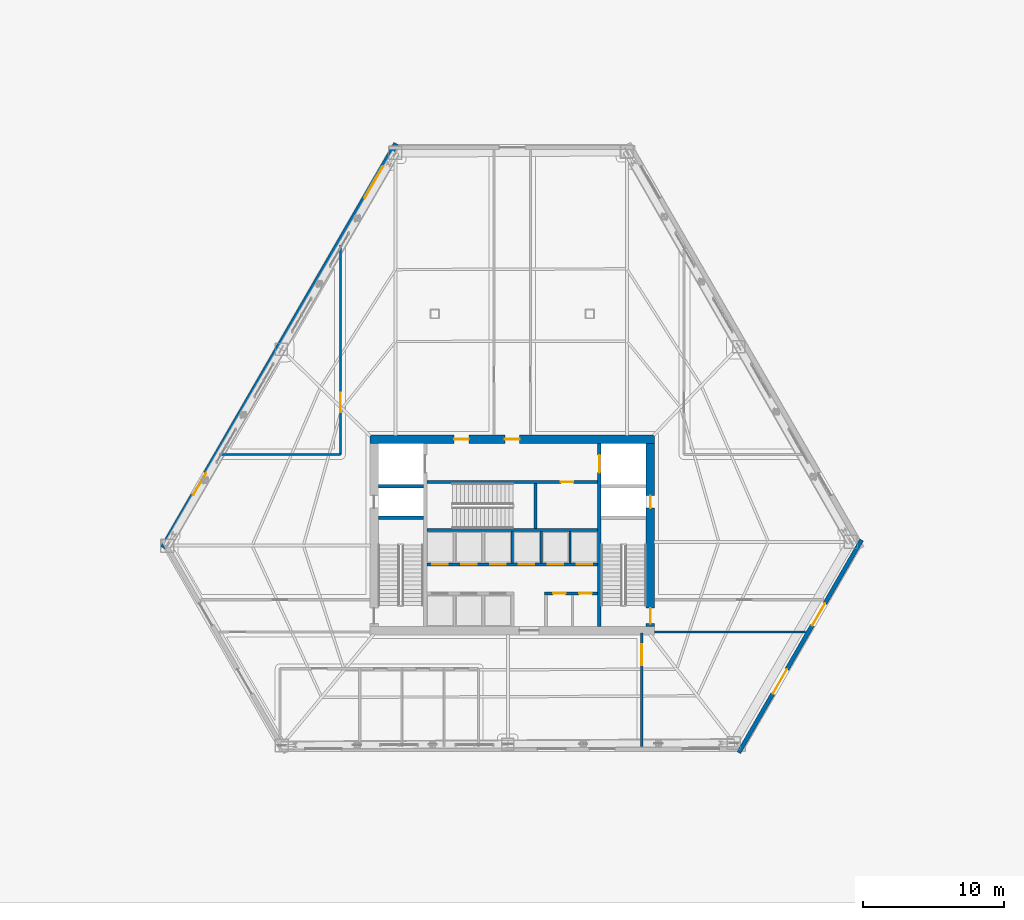
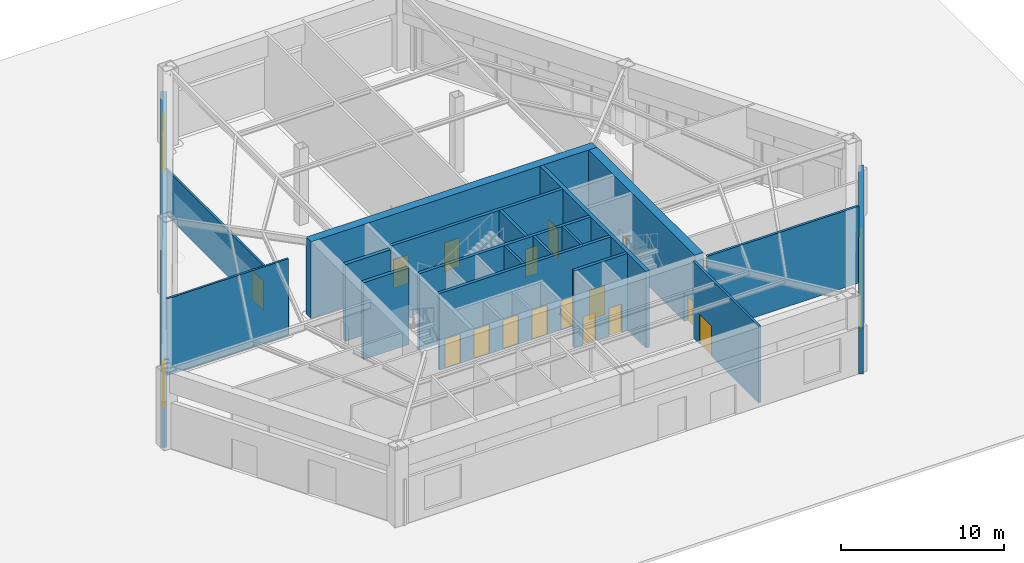
# One storey, part 15 of 20: 19 doors, 19 walls, 1 window, 20 openings.
"""IFC4 building model written with IfcOpenShell, lengths in metres."""

import ifcopenshell
import ifcopenshell.guid

model = None  # the IFC model being written
_history = None  # IfcOwnerHistory: only IFC2X3 demands one
_inside = {}  # id of a spatial element -> (the spatial element, [elements in it])
_under = {}  # id of a project, library or spatial element -> (it, [spatial elements below it])
_declared = {}  # id of a project -> (the project, [libraries it declares])
_typed = {}  # id of a type object -> (the type object, [elements of that type])
_made_of = {}  # id of a material, layer set ... -> (it, [elements and type objects made of it])


def new_model(schema):
    """Start an empty IFC model of exactly this schema.

    Asked for "IFC4X3", IfcOpenShell would pick the latest addendum, in which some entities
    have other attributes; the version numbers below select the first issue.
    IFC2X3 requires an IfcOwnerHistory on every rooted entity: one is made here for all.
    """
    global model, _history
    if schema == "IFC4X3":
        model = ifcopenshell.file(schema_version=(4, 3, 0, 0))
    else:
        model = ifcopenshell.file(schema=schema)
    _inside.clear()
    _under.clear()
    _declared.clear()
    _typed.clear()
    _made_of.clear()
    _history = None
    if model.schema == "IFC2X3":
        org = make("IfcOrganization", Name="unknown")
        user = make(
            "IfcPersonAndOrganization",
            ThePerson=make("IfcPerson", FamilyName="unknown"),
            TheOrganization=org,
        )
        app = make(
            "IfcApplication",
            ApplicationDeveloper=org,
            Version="unknown",
            ApplicationFullName="unknown",
            ApplicationIdentifier="unknown",
        )
        _history = make(
            "IfcOwnerHistory",
            OwningUser=user,
            OwningApplication=app,
            ChangeAction="ADDED",
            CreationDate=0,
        )
    return model


def make(cls, **values):
    """One entity of the class cls with the attributes given. An attribute that is None is left unset."""
    return model.create_entity(
        cls, **{name: value for name, value in values.items() if value is not None}
    )


def rooted(cls, **values):
    """An entity with a GlobalId (a new one), such as an element, a storey or a relation."""
    return make(cls, GlobalId=ifcopenshell.guid.new(), OwnerHistory=_history, **values)


def si_unit(unit_type, name, prefix=None):
    """IfcSIUnit, for example si_unit("LENGTHUNIT", "METRE", prefix="MILLI")."""
    return make("IfcSIUnit", UnitType=unit_type, Prefix=prefix, Name=name)


def assignment(units):
    """IfcUnitAssignment: the units of a project."""
    return None if units is None else make("IfcUnitAssignment", Units=units)


def point(xyz):
    """IfcCartesianPoint."""
    return None if xyz is None else make("IfcCartesianPoint", Coordinates=xyz)


def direction(xyz):
    """IfcDirection."""
    return None if xyz is None else make("IfcDirection", DirectionRatios=xyz)


def frame(location, z_axis=None, x_axis=None):
    """IfcAxis2Placement3D, a coordinate frame: its origin and axes. An axis left out is left unset."""
    return make(
        "IfcAxis2Placement3D",
        Location=point(location),
        Axis=direction(z_axis),
        RefDirection=direction(x_axis),
    )


def frame_2d(location, x_axis=None):
    """IfcAxis2Placement2D, a coordinate frame in the plane: its origin and x axis."""
    return make(
        "IfcAxis2Placement2D", Location=point(location), RefDirection=direction(x_axis)
    )


def origin():
    """The frame at (0, 0, 0) with its axes left unset."""
    return frame((0.0, 0.0, 0.0))


def place(relative_to, where):
    """IfcLocalPlacement: puts the frame where relative to a parent placement (None: the world)."""
    return make(
        "IfcLocalPlacement", PlacementRelTo=relative_to, RelativePlacement=where
    )


def context(
    kind, dimensions, precision=None, world=None, true_north=None, identifier=None
):
    """IfcGeometricRepresentationContext, for example the 3D "Model" context."""
    return make(
        "IfcGeometricRepresentationContext",
        ContextIdentifier=identifier,
        ContextType=kind,
        CoordinateSpaceDimension=dimensions,
        Precision=precision,
        WorldCoordinateSystem=world,
        TrueNorth=true_north,
    )


def subcontext(parent, identifier, kind, view, scale=None):
    """IfcGeometricRepresentationSubContext, for example "Body" below "Model"."""
    return make(
        "IfcGeometricRepresentationSubContext",
        ContextIdentifier=identifier,
        ContextType=kind,
        ParentContext=parent,
        TargetScale=scale,
        TargetView=view,
    )


def project(units=None, contexts=None):
    """IfcProject with its units and contexts."""
    return rooted(
        "IfcProject",
        Name="project",
        RepresentationContexts=contexts,
        UnitsInContext=assignment(units),
    )


def spatial(cls, under=None, at=None, **own):
    """A site, building, storey or space (cls), placed at a placement, below another one or the project."""
    s = rooted(cls, ObjectPlacement=at, **own)
    if under is not None:
        _under.setdefault(under.id(), (under, []))[1].append(s)
    return s


def profile(cls, at=None, kind="AREA", **sizes):
    """A parametric profile (cls). Its sizes go by their IFC names, for example OverallWidth=200.0."""
    return make(cls, ProfileType=kind, Position=at, **sizes)


def rectangle(**sizes):
    """IfcRectangleProfileDef."""
    return profile("IfcRectangleProfileDef", **sizes)


def extrude(swept, where, along, depth):
    """IfcExtrudedAreaSolid: the profile swept, set in the frame where, extruded along a direction by depth."""
    return make(
        "IfcExtrudedAreaSolid",
        SweptArea=swept,
        Position=where,
        ExtrudedDirection=direction(along),
        Depth=depth,
    )


def shape(context_of_items, identifier, shape_type, items):
    """IfcShapeRepresentation: the items that make up one representation, for example the "Body"."""
    return make(
        "IfcShapeRepresentation",
        ContextOfItems=context_of_items,
        RepresentationIdentifier=identifier,
        RepresentationType=shape_type,
        Items=items,
    )


def material(Name=None, Category=None):
    """IfcMaterial."""
    return make("IfcMaterial", Name=Name, Category=Category)


def layer(
    of_material, thickness, ventilated=None, Name=None, Category=None, Priority=None
):
    """IfcMaterialLayer: one layer of a wall or slab, of a material (None: an air gap)."""
    return make(
        "IfcMaterialLayer",
        Material=of_material,
        LayerThickness=thickness,
        IsVentilated=ventilated,
        Name=Name,
        Category=Category,
        Priority=Priority,
    )


def layer_set(layers, Name=None):
    """IfcMaterialLayerSet."""
    return make("IfcMaterialLayerSet", MaterialLayers=layers, LayerSetName=Name)


def made_of(thing, what):
    """Note that an element or type object is made of a material, layer set ...; save() writes the relation."""
    if what is not None:
        _made_of.setdefault(what.id(), (what, []))[1].append(thing)
    return thing


def type_object(cls, material=None, **own):
    """A type object (cls), such as IfcWallType, which elements share."""
    return made_of(rooted(cls, **own), material)


def element(
    cls,
    number,
    at=None,
    inside=None,
    cuts=None,
    type_object=None,
    material=None,
    context=None,
    identifier="Body",
    shape_type=None,
    held_by="IfcProductDefinitionShape",
    body=None,
    shapes=None,
    **own,
):
    """One element of the class cls, such as IfcWall. Its Tag is "e" and its number.

    at: its placement. inside: the storey or other place that contains it. cuts: it is an
    opening in that element (IfcRelVoidsElement). A single representation is given by context,
    identifier, shape_type and body (its items); several are given by shapes. held_by: the class
    of the entity that holds the representations. save() writes the other relations.
    """
    e = rooted(cls, Tag="e%d" % number, ObjectPlacement=at, **own)
    if body is not None:
        shapes = [shape(context, identifier, shape_type, body)]
    if shapes is not None:
        e.Representation = make(held_by, Representations=shapes)
    if inside is not None:
        _inside.setdefault(inside.id(), (inside, []))[1].append(e)
    if cuts is not None:
        rooted(
            "IfcRelVoidsElement", RelatingBuildingElement=cuts, RelatedOpeningElement=e
        )
    if type_object is not None:
        _typed.setdefault(type_object.id(), (type_object, []))[1].append(e)
    return made_of(e, material)


def fill(opening, filler):
    """IfcRelFillsElement: the door or window that sits in an opening."""
    return rooted(
        "IfcRelFillsElement",
        RelatingOpeningElement=opening,
        RelatedBuildingElement=filler,
    )


def aggregate(whole, parts):
    """IfcRelAggregates: a whole, such as a stair, and the parts it consists of."""
    return rooted("IfcRelAggregates", RelatingObject=whole, RelatedObjects=parts)


def save(model, path):
    """Write the relations noted so far, then the file.

    IfcRelAggregates (storeys below a building ...), IfcRelContainedInSpatialStructure (elements
    in a storey), IfcRelDefinesByType, IfcRelAssociatesMaterial and IfcRelDeclares: one each for
    every whole, place, type object, material and project.
    """
    for whole, parts in _under.values():
        aggregate(whole, parts)
    for where, things in _inside.values():
        rooted(
            "IfcRelContainedInSpatialStructure",
            RelatedElements=things,
            RelatingStructure=where,
        )
    for kind, things in _typed.values():
        rooted("IfcRelDefinesByType", RelatedObjects=things, RelatingType=kind)
    for what, things in _made_of.values():
        rooted("IfcRelAssociatesMaterial", RelatedObjects=things, RelatingMaterial=what)
    for by, libraries in _declared.values():
        rooted("IfcRelDeclares", RelatingContext=by, RelatedDefinitions=libraries)
    model.write(path)


model = new_model("IFC4")

# Units and contexts
model_context = context("Model", 3, precision=1e-05, world=origin(), true_north=direction((0.0, 1.0)))
body_context = subcontext(model_context, "Body", "Model", "MODEL_VIEW")
ifc_project = project(units=[si_unit("LENGTHUNIT", "METRE"), si_unit("AREAUNIT", "SQUARE_METRE"), si_unit("VOLUMEUNIT", "CUBIC_METRE"), si_unit("PLANEANGLEUNIT", "RADIAN"), si_unit("MASSUNIT", "GRAM", prefix="KILO")], contexts=[model_context])

# Site, building, storey
site_placement = place(None, origin())
site = spatial("IfcSite", under=ifc_project, at=site_placement, CompositionType="ELEMENT")
building_placement = place(site_placement, origin())
building = spatial("IfcBuilding", under=site, at=building_placement, Name="Kavelnor Concourse Tower", CompositionType="ELEMENT")
storey_placement = place(building_placement, origin())
storey = spatial("IfcBuildingStorey", under=building, at=storey_placement, Name="L00", CompositionType="ELEMENT", Elevation=0.0)

# Wall, openings, doors
ifc_material_1 = material(Name="Concrete C60/75", Category="concrete")
ifc_layer_1 = layer(ifc_material_1, 0.60009765625, Name="Concrete C60/75")
ifc_layer_set_1 = layer_set([ifc_layer_1], Name="Concrete C60/75")
wall_type_1 = type_object("IfcWallType", Name="WL-CORE-Z1-600", PredefinedType="SOLIDWALL", material=ifc_layer_set_1)
wall_1_placement = place(storey_placement, frame((27.8798828125, 22.89990234375, 0.0), z_axis=(0.0, 0.0, 1.0), x_axis=(1.0, 0.0, 0.0)))
wall_1 = element("IfcWall", 1, at=wall_1_placement, inside=storey, type_object=wall_type_1, Name="L00 Central Core North Shear Wall", PredefinedType="SOLIDWALL", context=body_context, shape_type="SweptSolid", body=[
    extrude(rectangle(XDim=20.240234375, YDim=0.60009765625, at=frame_2d((10.1201171875, 0.0))), origin(), (0.0, 0.0, 1.0), 5.739990234375),
])
opening_1_placement = place(wall_1_placement, frame((9.594970703125, 0.0, 0.0)))
opening_1 = element("IfcOpeningElement", 2, at=opening_1_placement, cuts=wall_1, Name="Opening FD-105", PredefinedType="OPENING", context=body_context, shape_type="SweptSolid", body=[
    extrude(rectangle(XDim=1.050048828125, YDim=2.14990234375, at=frame_2d((0.52490234375, 1.074951171875))), frame((0.0, 0.31005859375, 0.0), z_axis=(0.0, -1.0, 0.0), x_axis=(1.0, 0.0, 0.0)), (0.0, 0.0, 1.0), 0.6201171875),
])
opening_2_placement = place(wall_1_placement, frame((5.9951171875, 0.0, 0.0)))
opening_2 = element("IfcOpeningElement", 3, at=opening_2_placement, cuts=wall_1, Name="Opening FD-105", PredefinedType="OPENING", context=body_context, shape_type="SweptSolid", body=[
    extrude(rectangle(XDim=1.050048828125, YDim=2.14990234375, at=frame_2d((0.52490234375, 1.074951171875))), frame((0.0, 0.31005859375, 0.0), z_axis=(0.0, -1.0, 0.0), x_axis=(1.0, 0.0, 0.0)), (0.0, 0.0, 1.0), 0.6201171875),
])
ifc_material_2 = material(Name="Steel Grade 350", Category="steel")
door_type_1 = type_object("IfcDoorType", Name="DR-LOBBY-FIRE-1050", OperationType="NOTDEFINED", PredefinedType="DOOR", material=ifc_material_2)
door_1_placement = place(opening_1_placement, origin())
door_1 = element("IfcDoor", 4, at=door_1_placement, inside=storey, type_object=door_type_1, Name="L00 North Fire Exit Passage Door", OperationType="SINGLE_SWING_LEFT", OverallHeight=2.14990234375, OverallWidth=1.050048828125, PredefinedType="DOOR", context=body_context, shape_type="SweptSolid", body=[
    extrude(rectangle(XDim=1.050048828125, YDim=2.14990234375, at=frame_2d((0.52490234375, 1.074951171875))), frame((0.0, 0.02490234375, 0.0), z_axis=(0.0, -1.0, 0.0), x_axis=(1.0, 0.0, 0.0)), (0.0, 0.0, 1.0), 0.050048828125),
])
fill(opening_1, door_1)
door_2_placement = place(opening_2_placement, origin())
door_2 = element("IfcDoor", 5, at=door_2_placement, inside=storey, type_object=door_type_1, Name="L00 Emergency Lobby Concourse Door", OperationType="SINGLE_SWING_RIGHT", OverallHeight=2.14990234375, OverallWidth=1.050048828125, PredefinedType="DOOR", context=body_context, shape_type="SweptSolid", body=[
    extrude(rectangle(XDim=1.050048828125, YDim=2.14990234375, at=frame_2d((0.52490234375, 1.074951171875))), frame((0.0, 0.02490234375, 0.0), z_axis=(0.0, -1.0, 0.0), x_axis=(1.0, 0.0, 0.0)), (0.0, 0.0, 1.0), 0.050048828125),
])
fill(opening_2, door_2)

wall_2_placement = place(storey_placement, frame((47.820068359375, 9.60009765625, 0.0), z_axis=(0.0, 0.0, 1.0), x_axis=(0.0, 1.0, 0.0)))
wall_2 = element("IfcWall", 6, at=wall_2_placement, inside=storey, type_object=wall_type_1, Name="L00 Central Core East Shear Wall", PredefinedType="SOLIDWALL", context=body_context, shape_type="SweptSolid", body=[
    extrude(rectangle(XDim=13.0, YDim=0.60009765625, at=frame_2d((6.5, 0.0))), origin(), (0.0, 0.0, 1.0), 5.739990234375),
])
opening_3_placement = place(wall_2_placement, frame((8.39990234375, 0.0, 0.0)))
opening_3 = element("IfcOpeningElement", 7, at=opening_3_placement, cuts=wall_2, Name="Opening FD-090", PredefinedType="OPENING", context=body_context, shape_type="SweptSolid", body=[
    extrude(rectangle(XDim=0.89990234375, YDim=2.10009765625, at=frame_2d((0.449951171875, 1.050048828125))), frame((0.0, 0.31005859375, 0.0), z_axis=(0.0, -1.0, 0.0), x_axis=(1.0, 0.0, 0.0)), (0.0, 0.0, 1.0), 0.6201171875),
])
opening_4_placement = place(wall_2_placement, frame((0.199951171875, 0.0, 0.0)))
opening_4 = element("IfcOpeningElement", 8, at=opening_4_placement, cuts=wall_2, Name="Opening FD-110", PredefinedType="OPENING", context=body_context, shape_type="SweptSolid", body=[
    extrude(rectangle(XDim=1.10009765625, YDim=2.14990234375, at=frame_2d((0.550048828125, 1.074951171875))), frame((0.0, 0.31005859375, 0.0), z_axis=(0.0, -1.0, 0.0), x_axis=(1.0, 0.0, 0.0)), (0.0, 0.0, 1.0), 0.6201171875),
])
door_type_2 = type_object("IfcDoorType", Name="DR-RISER-FIRE-900", OperationType="NOTDEFINED", PredefinedType="DOOR", material=ifc_material_2)
door_3_placement = place(opening_3_placement, origin())
door_3 = element("IfcDoor", 9, at=door_3_placement, inside=storey, type_object=door_type_2, Name="L00 East Riser Access Door", OperationType="SINGLE_SWING_LEFT", OverallHeight=2.10009765625, OverallWidth=0.89990234375, PredefinedType="DOOR", context=body_context, shape_type="SweptSolid", body=[
    extrude(rectangle(XDim=0.89990234375, YDim=2.10009765625, at=frame_2d((0.449951171875, 1.050048828125))), frame((0.0, 0.02490234375, 0.0), z_axis=(0.0, -1.0, 0.0), x_axis=(1.0, 0.0, 0.0)), (0.0, 0.0, 1.0), 0.050048828125),
])
fill(opening_3, door_3)
door_type_3 = type_object("IfcDoorType", Name="DR-STAIR-FIRE-1100", OperationType="NOTDEFINED", PredefinedType="DOOR", material=ifc_material_2)
door_4_placement = place(opening_4_placement, origin())
door_4 = element("IfcDoor", 10, at=door_4_placement, inside=storey, type_object=door_type_3, Name="L00 Stair ST2 Discharge Fire Door", OperationType="SINGLE_SWING_LEFT", OverallHeight=2.14990234375, OverallWidth=1.10009765625, PredefinedType="DOOR", context=body_context, shape_type="SweptSolid", body=[
    extrude(rectangle(XDim=1.10009765625, YDim=2.14990234375, at=frame_2d((0.550048828125, 1.074951171875))), frame((0.0, 0.02490234375, 0.0), z_axis=(0.0, -1.0, 0.0), x_axis=(1.0, 0.0, 0.0)), (0.0, 0.0, 1.0), 0.050048828125),
])
fill(opening_4, door_4)

ifc_material_3 = material(Name="Buff ironspot clay face brick masonry", Category="masonry")
ifc_layer_2 = layer(ifc_material_3, 0.300048828125, Name="Buff ironspot clay face brick masonry")
ifc_layer_set_2 = layer_set([ifc_layer_2], Name="Buff ironspot clay face brick masonry")
wall_type_2 = type_object("IfcWallType", Name="WL-EXT-BUFF-BRICK-FOLD-300", PredefinedType="STANDARD", material=ifc_layer_set_2)
wall_3_placement = place(storey_placement, frame((62.822509765625, 15.74267578125, 0.0), z_axis=(0.0, 0.0, 1.0), x_axis=(-0.500005062714, -0.866022480806, 0.0)))
wall_3 = element("IfcWall", 11, at=wall_3_placement, inside=storey, type_object=wall_type_2, Name="L00 Exterior Brick Facade Wall E4", PredefinedType="STANDARD", context=body_context, shape_type="SweptSolid", body=[
    extrude(rectangle(XDim=17.448486328125, YDim=0.300048828125, at=frame_2d((8.72412109375, 0.0))), origin(), (0.0, 0.0, 1.0), 3.429931640625),
])
opening_5_placement = place(wall_3_placement, frame((5.206298828125, 0.0, 0.0)))
opening_5 = element("IfcOpeningElement", 12, at=opening_5_placement, cuts=wall_3, Name="Opening ED-EXIT", PredefinedType="OPENING", context=body_context, shape_type="SweptSolid", body=[
    extrude(rectangle(XDim=1.800048828125, YDim=2.25, at=frame_2d((0.89990234375, 1.125))), frame((0.0, 0.16015625, 0.0), z_axis=(0.0, -1.0, 0.0), x_axis=(1.0, 0.0, 0.0)), (0.0, 0.0, 1.0), 0.320068359375),
])
opening_6_placement = place(wall_3_placement, frame((10.6123046875, 0.0, 0.0)))
opening_6 = element("IfcOpeningElement", 13, at=opening_6_placement, cuts=wall_3, Name="Opening ED-MAIN", PredefinedType="OPENING", context=body_context, shape_type="SweptSolid", body=[
    extrude(rectangle(XDim=2.0, YDim=2.60009765625, at=frame_2d((1.0, 1.300048828125))), frame((0.0, 0.16015625, 0.0), z_axis=(0.0, -1.0, 0.0), x_axis=(1.0, 0.0, 0.0)), (0.0, 0.0, 1.0), 0.320068359375),
])
ifc_material_4 = material(Name="Double low-E argon insulated glazing", Category="glass")
door_type_4 = type_object("IfcDoorType", Name="DR-CONCOURSE-ENTRY", OperationType="NOTDEFINED", PredefinedType="DOOR", material=ifc_material_4)
door_5_placement = place(opening_6_placement, origin())
door_5 = element("IfcDoor", 14, at=door_5_placement, inside=storey, type_object=door_type_4, Name="L00 South-East Street Concourse Entrance", OperationType="DOUBLE_DOOR_SINGLE_SWING", OverallHeight=2.60009765625, OverallWidth=2.0, PredefinedType="DOOR", context=body_context, shape_type="SweptSolid", body=[
    extrude(rectangle(XDim=2.0, YDim=2.60009765625, at=frame_2d((1.0, 1.300048828125))), frame((0.0, 0.02490234375, 0.0), z_axis=(0.0, -1.0, 0.0), x_axis=(1.0, 0.0, 0.0)), (0.0, 0.0, 1.0), 0.050048828125),
])
fill(opening_6, door_5)
door_type_5 = type_object("IfcDoorType", Name="DR-FINAL-EXIT-1800", OperationType="NOTDEFINED", PredefinedType="DOOR", material=ifc_material_2)
door_6_placement = place(opening_5_placement, origin())
door_6 = element("IfcDoor", 15, at=door_6_placement, inside=storey, type_object=door_type_5, Name="L00 East Passage Final Exit Door", OperationType="DOUBLE_DOOR_SINGLE_SWING", OverallHeight=2.25, OverallWidth=1.800048828125, PredefinedType="DOOR", context=body_context, shape_type="SweptSolid", body=[
    extrude(rectangle(XDim=1.800048828125, YDim=2.25, at=frame_2d((0.89990234375, 1.125))), frame((0.0, 0.02490234375, 0.0), z_axis=(0.0, -1.0, 0.0), x_axis=(1.0, 0.0, 0.0)), (0.0, 0.0, 1.0), 0.050048828125),
])
fill(opening_5, door_6)

# Wall, openings, door, window
ifc_material_5 = material(Name="Red-ochre clay face brick masonry", Category="masonry")
ifc_layer_3 = layer(ifc_material_5, 0.3798828125, Name="Red-ochre clay face brick masonry")
ifc_layer_set_3 = layer_set([ifc_layer_3], Name="Red-ochre clay face brick masonry")
wall_type_3 = type_object("IfcWallType", Name="WL-EXT-RED-BRICK-PIER-380", PredefinedType="STANDARD", material=ifc_layer_set_3)
wall_4_placement = place(storey_placement, frame((13.177490234375, 15.186279296875, 0.0), z_axis=(0.0, 0.0, 1.0), x_axis=(0.500000109808, 0.866025340387, 0.0)))
wall_4 = element("IfcWall", 16, at=wall_4_placement, inside=storey, type_object=wall_type_3, Name="L00 Exterior Brick Facade Wall E1", PredefinedType="STANDARD", context=body_context, shape_type="SweptSolid", body=[
    extrude(rectangle(XDim=33.16015625, YDim=0.3798828125, at=frame_2d((16.580078125, 0.0))), origin(), (0.0, 0.0, 1.0), 3.429931640625),
])
opening_7_placement = place(wall_4_placement, frame((4.306884765625, 0.0, 0.0)))
opening_7 = element("IfcOpeningElement", 17, at=opening_7_placement, cuts=wall_4, Name="Opening ED-EXIT", PredefinedType="OPENING", context=body_context, shape_type="SweptSolid", body=[
    extrude(rectangle(XDim=1.800048828125, YDim=2.25, at=frame_2d((0.89990234375, 1.125))), frame((0.0, 0.199951171875, 0.0), z_axis=(0.0, -1.0, 0.0), x_axis=(1.0, 0.0, 0.0)), (0.0, 0.0, 1.0), 0.39990234375),
])
opening_8_placement = place(wall_4_placement, frame((28.698974609375, 0.0, 0.550048828125)))
opening_8 = element("IfcOpeningElement", 18, at=opening_8_placement, cuts=wall_4, Name="Opening W-09", PredefinedType="OPENING", context=body_context, shape_type="SweptSolid", body=[
    extrude(rectangle(XDim=2.60009765625, YDim=2.550048828125, at=frame_2d((1.300048828125, 1.27490234375))), frame((0.0, 0.199951171875, 0.0), z_axis=(0.0, -1.0, 0.0), x_axis=(1.0, 0.0, 0.0)), (0.0, 0.0, 1.0), 0.39990234375),
])
door_7_placement = place(opening_7_placement, origin())
door_7 = element("IfcDoor", 19, at=door_7_placement, inside=storey, type_object=door_type_5, Name="L00 North-West Lower Final Exit Door", OperationType="DOUBLE_DOOR_SINGLE_SWING", OverallHeight=2.25, OverallWidth=1.800048828125, PredefinedType="DOOR", context=body_context, shape_type="SweptSolid", body=[
    extrude(rectangle(XDim=1.800048828125, YDim=2.25, at=frame_2d((0.89990234375, 1.125))), frame((0.0, 0.02490234375, 0.0), z_axis=(0.0, -1.0, 0.0), x_axis=(1.0, 0.0, 0.0)), (0.0, 0.0, 1.0), 0.050048828125),
])
fill(opening_7, door_7)
window_type = type_object("IfcWindowType", Name="WIN-CONCOURSE-2600", PartitioningType="SINGLE_PANEL", PredefinedType="WINDOW", material=ifc_material_4)
window_placement = place(opening_8_placement, origin())
window = element("IfcWindow", 20, at=window_placement, inside=storey, type_object=window_type, Name="L00 Concourse Deep-Set Window F0-B0", OverallHeight=2.550048828125, OverallWidth=2.60009765625, PartitioningType="SINGLE_PANEL", PredefinedType="WINDOW", context=body_context, shape_type="SweptSolid", body=[
    extrude(rectangle(XDim=2.60009765625, YDim=2.550048828125, at=frame_2d((1.300048828125, 1.27490234375))), frame((0.0, 0.030029296875, 0.0), z_axis=(0.0, -1.0, 0.0), x_axis=(1.0, 0.0, 0.0)), (0.0, 0.0, 1.0), 0.06005859375),
])
fill(opening_8, window)

# Wall, opening, door
ifc_material_6 = material(Name="Gypsum plasterboard on light-gauge steel studs", Category="steel")
ifc_layer_4 = layer(ifc_material_6, 0.14501953125, Name="Gypsum plasterboard on light-gauge steel studs")
ifc_layer_set_4 = layer_set([ifc_layer_4], Name="Gypsum plasterboard on light-gauge steel studs")
wall_type_4 = type_object("IfcWallType", Name="WL-INT-CORR-145", PredefinedType="PARTITIONING", material=ifc_layer_set_4)
wall_5_placement = place(storey_placement, frame((25.800048828125, 21.800048828125, 0.0), z_axis=(0.0, 0.0, 1.0), x_axis=(0.0, 1.0, 0.0)))
wall_5 = element("IfcWall", 21, at=wall_5_placement, inside=storey, type_object=wall_type_4, Name="L00 Partition WL-L00-RET-E", PredefinedType="PARTITIONING", context=body_context, shape_type="SweptSolid", body=[
    extrude(rectangle(XDim=14.89892578125, YDim=0.14501953125, at=frame_2d((7.449462890625, 0.0))), origin(), (0.0, 0.0, 1.0), 3.43505859375),
])
opening_9_placement = place(wall_5_placement, frame((3.0, 0.0, 0.0)))
opening_9 = element("IfcOpeningElement", 22, at=opening_9_placement, cuts=wall_5, Name="Opening SD-140", PredefinedType="OPENING", context=body_context, shape_type="SweptSolid", body=[
    extrude(rectangle(XDim=1.39990234375, YDim=2.199951171875, at=frame_2d((0.699951171875, 1.10009765625))), frame((0.0, 0.08251953125, 0.0), z_axis=(0.0, -1.0, 0.0), x_axis=(1.0, 0.0, 0.0)), (0.0, 0.0, 1.0), 0.1650390625),
])
ifc_material_7 = material(Name="Solid-core hardwood timber", Category="wood")
door_type_6 = type_object("IfcDoorType", Name="DR-SUITE-ENTRY-1400", OperationType="NOTDEFINED", PredefinedType="DOOR", material=ifc_material_7)
door_8_placement = place(opening_9_placement, origin())
door_8 = element("IfcDoor", 23, at=door_8_placement, inside=storey, type_object=door_type_6, Name="L00 Retail Entrance Door", OperationType="SINGLE_SWING_RIGHT", OverallHeight=2.199951171875, OverallWidth=1.39990234375, PredefinedType="DOOR", context=body_context, shape_type="SweptSolid", body=[
    extrude(rectangle(XDim=1.39990234375, YDim=2.199951171875, at=frame_2d((0.699951171875, 1.10009765625))), frame((0.0, 0.02490234375, 0.0), z_axis=(0.0, -1.0, 0.0), x_axis=(1.0, 0.0, 0.0)), (0.0, 0.0, 1.0), 0.050048828125),
])
fill(opening_9, door_8)

# Walls
wall_6_placement = place(storey_placement, frame((17.197998046875, 21.800048828125, 0.0), z_axis=(0.0, 0.0, 1.0), x_axis=(1.0, 0.0, 0.0)))
element("IfcWall", 24, at=wall_6_placement, inside=storey, type_object=wall_type_4, Name="L00 Partition WL-L00-RET-S", PredefinedType="PARTITIONING", context=body_context, shape_type="SweptSolid", body=[
    extrude(rectangle(XDim=8.60205078125, YDim=0.14501953125, at=frame_2d((4.301025390625, 0.0))), origin(), (0.0, 0.0, 1.0), 5.739990234375),
])
ifc_layer_5 = layer(ifc_material_6, 0.1650390625, Name="Gypsum plasterboard on light-gauge steel studs")
ifc_layer_set_5 = layer_set([ifc_layer_5], Name="Gypsum plasterboard on light-gauge steel studs")
wall_type_5 = type_object("IfcWallType", Name="WL-INT-FIRE-165", PredefinedType="PARTITIONING", material=ifc_layer_set_5)
for number, where, z_axis, x_axis, name in (
    (25, (38.0, 14.10009765625, 0.0), (0.0, 0.0, 1.0), (0.0, 1.0, 0.0), "L00 Lift Shaft Divider LP3"),
    (26, (40.050048828125, 14.10009765625, 0.0), (0.0, 0.0, 1.0), (0.0, 1.0, 0.0), "L00 Lift Shaft Divider LP4"),
    (27, (42.10009765625, 14.10009765625, 0.0), (0.0, 0.0, 1.0), (0.0, 1.0, 0.0), "L00 Lift Shaft Divider LP5"),
):
    element("IfcWall", number, at=place(storey_placement, frame(where, z_axis=z_axis, x_axis=x_axis)), inside=storey, type_object=wall_type_5, Name=name, PredefinedType="PARTITIONING", context=body_context, shape_type="SweptSolid", body=[
        extrude(rectangle(XDim=2.239990234375, YDim=0.1650390625, at=frame_2d((1.1201171875, 0.0))), origin(), (0.0, 0.0, 1.0), 5.739990234375),
    ])
wall_7_placement = place(storey_placement, frame((58.843017578125, 9.199951171875, 0.0), z_axis=(0.0, 0.0, 1.0), x_axis=(-1.0, 0.0, 0.0)))
element("IfcWall", 28, at=wall_7_placement, inside=storey, type_object=wall_type_5, Name="L00 Fire Exit Passage Wall WL-L00-EXE-S", PredefinedType="PARTITIONING", context=body_context, shape_type="SweptSolid", body=[
    extrude(rectangle(XDim=10.722900390625, YDim=0.1650390625, at=frame_2d((5.361328125, 0.0))), origin(), (0.0, 0.0, 1.0), 5.739990234375),
])

# Wall, opening, door
wall_8_placement = place(storey_placement, frame((47.199951171875, 1.0849609375, 0.0), z_axis=(0.0, 0.0, 1.0), x_axis=(0.0, 1.0, 0.0)))
wall_8 = element("IfcWall", 29, at=wall_8_placement, inside=storey, type_object=wall_type_5, Name="L00 Partition WL-L00-DOCK-W", PredefinedType="PARTITIONING", context=body_context, shape_type="SweptSolid", body=[
    extrude(rectangle(XDim=8.03515625, YDim=0.1650390625, at=frame_2d((4.017578125, 0.0))), origin(), (0.0, 0.0, 1.0), 5.739990234375),
])
opening_10_placement = place(wall_8_placement, frame((5.764892578125, 0.0, 0.0)))
opening_10 = element("IfcOpeningElement", 30, at=opening_10_placement, cuts=wall_8, Name="Opening PD-150", PredefinedType="OPENING", context=body_context, shape_type="SweptSolid", body=[
    extrude(rectangle(XDim=1.5, YDim=2.25, at=frame_2d((0.75, 1.125))), frame((0.0, 0.092529296875, 0.0), z_axis=(0.0, -1.0, 0.0), x_axis=(1.0, 0.0, 0.0)), (0.0, 0.0, 1.0), 0.18505859375),
])
door_type_7 = type_object("IfcDoorType", Name="DR-PLANT-1500", OperationType="NOTDEFINED", PredefinedType="DOOR", material=ifc_material_2)
door_9_placement = place(opening_10_placement, origin())
door_9 = element("IfcDoor", 31, at=door_9_placement, inside=storey, type_object=door_type_7, Name="L00 Loading Dock Service Door", OperationType="DOUBLE_DOOR_SINGLE_SWING", OverallHeight=2.25, OverallWidth=1.5, PredefinedType="DOOR", context=body_context, shape_type="SweptSolid", body=[
    extrude(rectangle(XDim=1.5, YDim=2.25, at=frame_2d((0.75, 1.125))), frame((0.0, 0.02490234375, 0.0), z_axis=(0.0, -1.0, 0.0), x_axis=(1.0, 0.0, 0.0)), (0.0, 0.0, 1.0), 0.050048828125),
])
fill(opening_10, door_9)

ifc_material_8 = material(Name="Concrete C50/60", Category="concrete")
ifc_layer_6 = layer(ifc_material_8, 0.219970703125, Name="Concrete C50/60")
ifc_layer_set_6 = layer_set([ifc_layer_6], Name="Concrete C50/60")
wall_type_6 = type_object("IfcWallType", Name="WL-SHAFT-220", PredefinedType="SOLIDWALL", material=ifc_layer_set_6)
wall_9_placement = place(storey_placement, frame((31.93994140625, 19.8701171875, 0.0), z_axis=(0.0, 0.0, 1.0), x_axis=(1.0, 0.0, 0.0)))
wall_9 = element("IfcWall", 32, at=wall_9_placement, inside=storey, type_object=wall_type_6, Name="L00 Emergency Lift Lobby South Wall", PredefinedType="SOLIDWALL", context=body_context, shape_type="SweptSolid", body=[
    extrude(rectangle(XDim=12.1201171875, YDim=0.219970703125, at=frame_2d((6.06005859375, 0.0))), origin(), (0.0, 0.0, 1.0), 5.739990234375),
])
opening_11_placement = place(wall_9_placement, frame((9.510009765625, 0.0, 0.0)))
opening_11 = element("IfcOpeningElement", 33, at=opening_11_placement, cuts=wall_9, Name="Opening FD-090", PredefinedType="OPENING", context=body_context, shape_type="SweptSolid", body=[
    extrude(rectangle(XDim=0.89990234375, YDim=2.10009765625, at=frame_2d((0.449951171875, 1.050048828125))), frame((0.0, 0.1201171875, 0.0), z_axis=(0.0, -1.0, 0.0), x_axis=(1.0, 0.0, 0.0)), (0.0, 0.0, 1.0), 0.239990234375),
])
door_10_placement = place(opening_11_placement, origin())
door_10 = element("IfcDoor", 34, at=door_10_placement, inside=storey, type_object=door_type_2, Name="L00 Electrical Comms Door", OperationType="SINGLE_SWING_LEFT", OverallHeight=2.10009765625, OverallWidth=0.89990234375, PredefinedType="DOOR", context=body_context, shape_type="SweptSolid", body=[
    extrude(rectangle(XDim=0.89990234375, YDim=2.10009765625, at=frame_2d((0.449951171875, 1.050048828125))), frame((0.0, 0.02490234375, 0.0), z_axis=(0.0, -1.0, 0.0), x_axis=(1.0, 0.0, 0.0)), (0.0, 0.0, 1.0), 0.050048828125),
])
fill(opening_11, door_10)

# Walls
wall_10_placement = place(storey_placement, frame((31.93994140625, 16.449951171875, 0.0), z_axis=(0.0, 0.0, 1.0), x_axis=(1.0, 0.0, 0.0)))
element("IfcWall", 35, at=wall_10_placement, inside=storey, type_object=wall_type_6, Name="L00 Stair ST3 South Core Wall", PredefinedType="SOLIDWALL", context=body_context, shape_type="SweptSolid", body=[
    extrude(rectangle(XDim=12.1201171875, YDim=0.219970703125, at=frame_2d((6.06005859375, 0.0))), origin(), (0.0, 0.0, 1.0), 5.739990234375),
])
wall_11_placement = place(storey_placement, frame((39.64990234375, 16.56005859375, 0.0), z_axis=(0.0, 0.0, 1.0), x_axis=(0.0, 1.0, 0.0)))
element("IfcWall", 36, at=wall_11_placement, inside=storey, type_object=wall_type_6, Name="L00 Stair ST3 East Core Wall", PredefinedType="SOLIDWALL", context=body_context, shape_type="SweptSolid", body=[
    extrude(rectangle(XDim=3.199951171875, YDim=0.219970703125, at=frame_2d((1.60009765625, 0.0))), origin(), (0.0, 0.0, 1.0), 5.739990234375),
])

# Wall, openings, doors
wall_12_placement = place(storey_placement, frame((31.93994140625, 13.989990234375, 0.0), z_axis=(0.0, 0.0, 1.0), x_axis=(1.0, 0.0, 0.0)))
wall_12 = element("IfcWall", 37, at=wall_12_placement, inside=storey, type_object=wall_type_6, Name="L00 North Lift Row Shaft Wall", PredefinedType="SOLIDWALL", context=body_context, shape_type="SweptSolid", body=[
    extrude(rectangle(XDim=12.1201171875, YDim=0.219970703125, at=frame_2d((6.06005859375, 0.0))), origin(), (0.0, 0.0, 1.0), 5.739990234375),
])
opening_12_placement = place(wall_12_placement, frame((0.385009765625, 0.0, 0.0)))
opening_12 = element("IfcOpeningElement", 38, at=opening_12_placement, cuts=wall_12, Name="Opening LD-110", PredefinedType="OPENING", context=body_context, shape_type="SweptSolid", body=[
    extrude(rectangle(XDim=1.10009765625, YDim=2.199951171875, at=frame_2d((0.550048828125, 1.10009765625))), frame((0.0, 0.1201171875, 0.0), z_axis=(0.0, -1.0, 0.0), x_axis=(1.0, 0.0, 0.0)), (0.0, 0.0, 1.0), 0.239990234375),
])
opening_13_placement = place(wall_12_placement, frame((2.43505859375, 0.0, 0.0)))
opening_13 = element("IfcOpeningElement", 39, at=opening_13_placement, cuts=wall_12, Name="Opening LD-110", PredefinedType="OPENING", context=body_context, shape_type="SweptSolid", body=[
    extrude(rectangle(XDim=1.10009765625, YDim=2.199951171875, at=frame_2d((0.550048828125, 1.10009765625))), frame((0.0, 0.1201171875, 0.0), z_axis=(0.0, -1.0, 0.0), x_axis=(1.0, 0.0, 0.0)), (0.0, 0.0, 1.0), 0.239990234375),
])
opening_14_placement = place(wall_12_placement, frame((4.485107421875, 0.0, 0.0)))
opening_14 = element("IfcOpeningElement", 40, at=opening_14_placement, cuts=wall_12, Name="Opening LD-110", PredefinedType="OPENING", context=body_context, shape_type="SweptSolid", body=[
    extrude(rectangle(XDim=1.10009765625, YDim=2.199951171875, at=frame_2d((0.550048828125, 1.10009765625))), frame((0.0, 0.1201171875, 0.0), z_axis=(0.0, -1.0, 0.0), x_axis=(1.0, 0.0, 0.0)), (0.0, 0.0, 1.0), 0.239990234375),
])
opening_15_placement = place(wall_12_placement, frame((6.534912109375, 0.0, 0.0)))
opening_15 = element("IfcOpeningElement", 41, at=opening_15_placement, cuts=wall_12, Name="Opening LD-110", PredefinedType="OPENING", context=body_context, shape_type="SweptSolid", body=[
    extrude(rectangle(XDim=1.10009765625, YDim=2.199951171875, at=frame_2d((0.550048828125, 1.10009765625))), frame((0.0, 0.1201171875, 0.0), z_axis=(0.0, -1.0, 0.0), x_axis=(1.0, 0.0, 0.0)), (0.0, 0.0, 1.0), 0.239990234375),
])
opening_16_placement = place(wall_12_placement, frame((8.5849609375, 0.0, 0.0)))
opening_16 = element("IfcOpeningElement", 42, at=opening_16_placement, cuts=wall_12, Name="Opening LD-110", PredefinedType="OPENING", context=body_context, shape_type="SweptSolid", body=[
    extrude(rectangle(XDim=1.10009765625, YDim=2.199951171875, at=frame_2d((0.550048828125, 1.10009765625))), frame((0.0, 0.1201171875, 0.0), z_axis=(0.0, -1.0, 0.0), x_axis=(1.0, 0.0, 0.0)), (0.0, 0.0, 1.0), 0.239990234375),
])
opening_17_placement = place(wall_12_placement, frame((10.635009765625, 0.0, 0.0)))
opening_17 = element("IfcOpeningElement", 43, at=opening_17_placement, cuts=wall_12, Name="Opening LD-110", PredefinedType="OPENING", context=body_context, shape_type="SweptSolid", body=[
    extrude(rectangle(XDim=1.10009765625, YDim=2.199951171875, at=frame_2d((0.550048828125, 1.10009765625))), frame((0.0, 0.1201171875, 0.0), z_axis=(0.0, -1.0, 0.0), x_axis=(1.0, 0.0, 0.0)), (0.0, 0.0, 1.0), 0.239990234375),
])
door_type_8 = type_object("IfcDoorType", Name="DR-LIFT-SLIDING-1100", OperationType="NOTDEFINED", PredefinedType="DOOR", material=ifc_material_2)
door_11_placement = place(opening_12_placement, origin())
door_11 = element("IfcDoor", 44, at=door_11_placement, inside=storey, type_object=door_type_8, Name="L00 Lift LP1 Landing Door", OperationType="DOUBLE_DOOR_SLIDING", OverallHeight=2.199951171875, OverallWidth=1.10009765625, PredefinedType="DOOR", context=body_context, shape_type="SweptSolid", body=[
    extrude(rectangle(XDim=1.10009765625, YDim=2.199951171875, at=frame_2d((0.550048828125, 1.10009765625))), frame((0.0, 0.02490234375, 0.0), z_axis=(0.0, -1.0, 0.0), x_axis=(1.0, 0.0, 0.0)), (0.0, 0.0, 1.0), 0.050048828125),
])
fill(opening_12, door_11)
door_12_placement = place(opening_13_placement, origin())
door_12 = element("IfcDoor", 45, at=door_12_placement, inside=storey, type_object=door_type_8, Name="L00 Lift LP2 Landing Door", OperationType="DOUBLE_DOOR_SLIDING", OverallHeight=2.199951171875, OverallWidth=1.10009765625, PredefinedType="DOOR", context=body_context, shape_type="SweptSolid", body=[
    extrude(rectangle(XDim=1.10009765625, YDim=2.199951171875, at=frame_2d((0.550048828125, 1.10009765625))), frame((0.0, 0.02490234375, 0.0), z_axis=(0.0, -1.0, 0.0), x_axis=(1.0, 0.0, 0.0)), (0.0, 0.0, 1.0), 0.050048828125),
])
fill(opening_13, door_12)
door_13_placement = place(opening_14_placement, origin())
door_13 = element("IfcDoor", 46, at=door_13_placement, inside=storey, type_object=door_type_8, Name="L00 Lift LP3 Landing Door", OperationType="DOUBLE_DOOR_SLIDING", OverallHeight=2.199951171875, OverallWidth=1.10009765625, PredefinedType="DOOR", context=body_context, shape_type="SweptSolid", body=[
    extrude(rectangle(XDim=1.10009765625, YDim=2.199951171875, at=frame_2d((0.550048828125, 1.10009765625))), frame((0.0, 0.02490234375, 0.0), z_axis=(0.0, -1.0, 0.0), x_axis=(1.0, 0.0, 0.0)), (0.0, 0.0, 1.0), 0.050048828125),
])
fill(opening_14, door_13)
door_14_placement = place(opening_15_placement, origin())
door_14 = element("IfcDoor", 47, at=door_14_placement, inside=storey, type_object=door_type_8, Name="L00 Lift LP4 Landing Door", OperationType="DOUBLE_DOOR_SLIDING", OverallHeight=2.199951171875, OverallWidth=1.10009765625, PredefinedType="DOOR", context=body_context, shape_type="SweptSolid", body=[
    extrude(rectangle(XDim=1.10009765625, YDim=2.199951171875, at=frame_2d((0.550048828125, 1.10009765625))), frame((0.0, 0.02490234375, 0.0), z_axis=(0.0, -1.0, 0.0), x_axis=(1.0, 0.0, 0.0)), (0.0, 0.0, 1.0), 0.050048828125),
])
fill(opening_15, door_14)
door_15_placement = place(opening_16_placement, origin())
door_15 = element("IfcDoor", 48, at=door_15_placement, inside=storey, type_object=door_type_8, Name="L00 Lift LP5 Landing Door", OperationType="DOUBLE_DOOR_SLIDING", OverallHeight=2.199951171875, OverallWidth=1.10009765625, PredefinedType="DOOR", context=body_context, shape_type="SweptSolid", body=[
    extrude(rectangle(XDim=1.10009765625, YDim=2.199951171875, at=frame_2d((0.550048828125, 1.10009765625))), frame((0.0, 0.02490234375, 0.0), z_axis=(0.0, -1.0, 0.0), x_axis=(1.0, 0.0, 0.0)), (0.0, 0.0, 1.0), 0.050048828125),
])
fill(opening_16, door_15)
door_16_placement = place(opening_17_placement, origin())
door_16 = element("IfcDoor", 49, at=door_16_placement, inside=storey, type_object=door_type_8, Name="L00 Lift LP6 Landing Door", OperationType="DOUBLE_DOOR_SLIDING", OverallHeight=2.199951171875, OverallWidth=1.10009765625, PredefinedType="DOOR", context=body_context, shape_type="SweptSolid", body=[
    extrude(rectangle(XDim=1.10009765625, YDim=2.199951171875, at=frame_2d((0.550048828125, 1.10009765625))), frame((0.0, 0.02490234375, 0.0), z_axis=(0.0, -1.0, 0.0), x_axis=(1.0, 0.0, 0.0)), (0.0, 0.0, 1.0), 0.050048828125),
])
fill(opening_17, door_16)

wall_13_placement = place(storey_placement, frame((40.280029296875, 11.949951171875, 0.0), z_axis=(0.0, 0.0, 1.0), x_axis=(1.0, 0.0, 0.0)))
wall_13 = element("IfcWall", 50, at=wall_13_placement, inside=storey, type_object=wall_type_6, Name="L00 Core South Support North Wall", PredefinedType="SOLIDWALL", context=body_context, shape_type="SweptSolid", body=[
    extrude(rectangle(XDim=3.780029296875, YDim=0.219970703125, at=frame_2d((1.89013671875, 0.0))), origin(), (0.0, 0.0, 1.0), 5.739990234375),
])
opening_18_placement = place(wall_13_placement, frame((0.6201171875, 0.0, 0.0)))
opening_18 = element("IfcOpeningElement", 51, at=opening_18_placement, cuts=wall_13, Name="Opening FD-090", PredefinedType="OPENING", context=body_context, shape_type="SweptSolid", body=[
    extrude(rectangle(XDim=0.89990234375, YDim=2.10009765625, at=frame_2d((0.449951171875, 1.050048828125))), frame((0.0, 0.1201171875, 0.0), z_axis=(0.0, -1.0, 0.0), x_axis=(1.0, 0.0, 0.0)), (0.0, 0.0, 1.0), 0.239990234375),
])
opening_19_placement = place(wall_13_placement, frame((2.469970703125, 0.0, 0.0)))
opening_19 = element("IfcOpeningElement", 52, at=opening_19_placement, cuts=wall_13, Name="Opening FD-090", PredefinedType="OPENING", context=body_context, shape_type="SweptSolid", body=[
    extrude(rectangle(XDim=0.89990234375, YDim=2.10009765625, at=frame_2d((0.449951171875, 1.050048828125))), frame((0.0, 0.1201171875, 0.0), z_axis=(0.0, -1.0, 0.0), x_axis=(1.0, 0.0, 0.0)), (0.0, 0.0, 1.0), 0.239990234375),
])
door_17_placement = place(opening_18_placement, origin())
door_17 = element("IfcDoor", 53, at=door_17_placement, inside=storey, type_object=door_type_2, Name="L00 Cleaner Cupboard Door", OperationType="SINGLE_SWING_RIGHT", OverallHeight=2.10009765625, OverallWidth=0.89990234375, PredefinedType="DOOR", context=body_context, shape_type="SweptSolid", body=[
    extrude(rectangle(XDim=0.89990234375, YDim=2.10009765625, at=frame_2d((0.449951171875, 1.050048828125))), frame((0.0, 0.02490234375, 0.0), z_axis=(0.0, -1.0, 0.0), x_axis=(1.0, 0.0, 0.0)), (0.0, 0.0, 1.0), 0.050048828125),
])
fill(opening_18, door_17)
door_18_placement = place(opening_19_placement, origin())
door_18 = element("IfcDoor", 54, at=door_18_placement, inside=storey, type_object=door_type_2, Name="L00 Supplies Store Door", OperationType="SINGLE_SWING_LEFT", OverallHeight=2.10009765625, OverallWidth=0.89990234375, PredefinedType="DOOR", context=body_context, shape_type="SweptSolid", body=[
    extrude(rectangle(XDim=0.89990234375, YDim=2.10009765625, at=frame_2d((0.449951171875, 1.050048828125))), frame((0.0, 0.02490234375, 0.0), z_axis=(0.0, -1.0, 0.0), x_axis=(1.0, 0.0, 0.0)), (0.0, 0.0, 1.0), 0.050048828125),
])
fill(opening_19, door_18)

# Wall, opening, door
ifc_layer_7 = layer(ifc_material_8, 0.260009765625, Name="Concrete C50/60")
ifc_layer_set_7 = layer_set([ifc_layer_7], Name="Concrete C50/60")
wall_type_7 = type_object("IfcWallType", Name="WL-SHAFT-260", PredefinedType="SHEAR", material=ifc_layer_set_7)
wall_14_placement = place(storey_placement, frame((44.18994140625, 9.60009765625, 0.0), z_axis=(0.0, 0.0, 1.0), x_axis=(0.0, 1.0, 0.0)))
wall_14 = element("IfcWall", 55, at=wall_14_placement, inside=storey, type_object=wall_type_7, Name="L00 Core East Wing Shear Wall", PredefinedType="SHEAR", context=body_context, shape_type="SweptSolid", body=[
    extrude(rectangle(XDim=13.0, YDim=0.260009765625, at=frame_2d((6.5, 0.0))), origin(), (0.0, 0.0, 1.0), 5.739990234375),
])
opening_20_placement = place(wall_14_placement, frame((10.925048828125, 0.0, 0.0)))
opening_20 = element("IfcOpeningElement", 56, at=opening_20_placement, cuts=wall_14, Name="Opening LD-125", PredefinedType="OPENING", context=body_context, shape_type="SweptSolid", body=[
    extrude(rectangle(XDim=1.25, YDim=2.25, at=frame_2d((0.625, 1.125))), frame((0.0, 0.14013671875, 0.0), z_axis=(0.0, -1.0, 0.0), x_axis=(1.0, 0.0, 0.0)), (0.0, 0.0, 1.0), 0.280029296875),
])
door_type_9 = type_object("IfcDoorType", Name="DR-LIFT-SLIDING-1250", OperationType="NOTDEFINED", PredefinedType="DOOR", material=ifc_material_2)
door_19_placement = place(opening_20_placement, origin())
door_19 = element("IfcDoor", 57, at=door_19_placement, inside=storey, type_object=door_type_9, Name="L00 Emergency Lift FL2 Landing Door", OperationType="DOUBLE_DOOR_SLIDING", OverallHeight=2.25, OverallWidth=1.25, PredefinedType="DOOR", context=body_context, shape_type="SweptSolid", body=[
    extrude(rectangle(XDim=1.25, YDim=2.25, at=frame_2d((0.625, 1.125))), frame((0.0, 0.02490234375, 0.0), z_axis=(0.0, -1.0, 0.0), x_axis=(1.0, 0.0, 0.0)), (0.0, 0.0, 1.0), 0.050048828125),
])
fill(opening_20, door_19)

# Walls
for number, where, z_axis, x_axis, name in (
    (58, (28.47998046875, 17.330078125, 0.0), (0.0, 0.0, 1.0), (1.0, 0.0, 0.0), "L00 Stair ST1 North Shaft Wall"),
    (59, (28.47998046875, 19.570068359375, 0.0), (0.0, 0.0, 1.0), (1.0, 0.0, 0.0), "L00 Emergency Lift FL1 South Shaft Wall"),
):
    element("IfcWall", number, at=place(storey_placement, frame(where, z_axis=z_axis, x_axis=x_axis)), inside=storey, type_object=wall_type_7, Name=name, PredefinedType="SHEAR", context=body_context, shape_type="SweptSolid", body=[
        extrude(rectangle(XDim=3.199951171875, YDim=0.260009765625, at=frame_2d((1.60009765625, 0.0))), origin(), (0.0, 0.0, 1.0), 5.739990234375),
    ])

save(model, "model.ifc")
